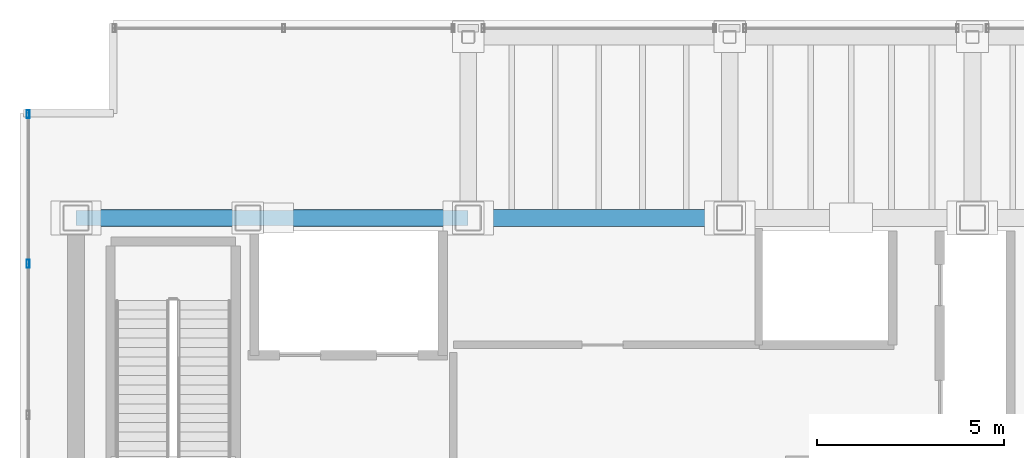
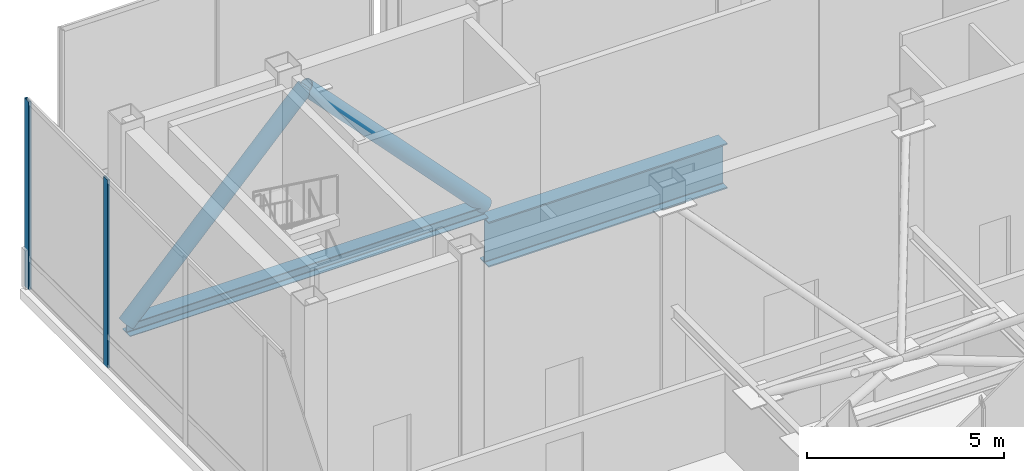
# One storey, part 11 of 19: 5 members, 1 beam, 1 element without a shape of its own.
"""IFC4 building model written with IfcOpenShell, lengths in metres."""

from ifc_helpers import new_model, si_unit, direction, frame, origin, origin_2d, place, context, subcontext, project, spatial, hollow_rectangle, hollow_circle, i_section, extrude, material, material_profile, profile_set, type_object, element, aggregate, save


model = new_model("IFC4")

# Units and contexts
model_context = context("Model", 3, precision=1e-05, world=origin(), true_north=direction((0.0, 1.0)))
body_context = subcontext(model_context, "Body", "Model", "MODEL_VIEW")
ifc_project = project(units=[si_unit("LENGTHUNIT", "METRE"), si_unit("AREAUNIT", "SQUARE_METRE"), si_unit("VOLUMEUNIT", "CUBIC_METRE"), si_unit("PLANEANGLEUNIT", "RADIAN"), si_unit("MASSUNIT", "GRAM", prefix="KILO")], contexts=[model_context])

# Site, building, storey
site_placement = place(None, origin())
site = spatial("IfcSite", under=ifc_project, at=site_placement, CompositionType="ELEMENT")
building_placement = place(site_placement, origin())
building = spatial("IfcBuilding", under=site, at=building_placement, Name="Noeulbin Bourse Tower", CompositionType="ELEMENT")
storey_placement = place(building_placement, frame((0.0, 0.0, 306.0)))
storey = spatial("IfcBuildingStorey", under=building, at=storey_placement, Name="L76", CompositionType="ELEMENT", Elevation=306.0)

# Beam
ifc_material_1 = material(Name="Steel S460", Category="steel")
ifc_material_profile_1 = material_profile(ifc_material_1, i_section(OverallWidth=0.449951171875, OverallDepth=1.39990234375, WebThickness=0.02392578125, FlangeThickness=0.0400390625, FilletRadius=0.02392578125, at=origin_2d()), Name="PG-1400x450x24x40", Category="LoadBearing")
ifc_profile_set_1 = profile_set([ifc_material_profile_1], Name="Steel S460")
beam_type = type_object("IfcBeamType", Name="BM-TRF-1400", PredefinedType="USERDEFINED", material=ifc_profile_set_1)
beam_placement = place(storey_placement, frame((24.0, 38.300048828125, -1.0), z_axis=(1.0, 0.0, 0.0), x_axis=(0.0, 1.0, 0.0)))
element("IfcBeam", 1, at=beam_placement, inside=storey, type_object=beam_type, Name="Tower Primary Girder EW L76-3.1", ObjectType="GIRDER", PredefinedType="USERDEFINED", context=body_context, shape_type="SweptSolid", body=[
    extrude(i_section(OverallWidth=0.449951171875, OverallDepth=1.39990234375, WebThickness=0.02392578125, FlangeThickness=0.0400390625, FilletRadius=0.02392578125, at=origin_2d()), origin(), (0.0, 0.0, 1.0), 7.0),
])

# Curtain wall, members
ifc_material_2 = material(Name="Translucent Ceramic-Fritted Glass", Category="glass")
curtain_wall_type = type_object("IfcCurtainWallType", Name="CW-SYS-5", PredefinedType="NOTDEFINED", material=ifc_material_2)
curtain_wall_placement = place(storey_placement, origin())
curtain_wall = element("IfcCurtainWall", 2, at=curtain_wall_placement, inside=storey, type_object=curtain_wall_type, Name="Unitised Curtain Wall CW-L76-W", PredefinedType="NOTDEFINED")
ifc_material_3 = material(Name="Anodised Aluminium 6063-T6", Category="aluminium")
ifc_material_profile_2 = material_profile(ifc_material_3, hollow_rectangle(XDim=0.074951171875, YDim=0.219970703125, WallThickness=0.0048828125, InnerFilletRadius=0.00244140625, OuterFilletRadius=0.0048828125, at=origin_2d()), Name="ALU-MULL-75x220x5", Category="LoadBearing")
ifc_profile_set_2 = profile_set([ifc_material_profile_2], Name="Anodised Aluminium 6063-T6")
member_type_1 = type_object("IfcMemberType", Name="CW-SYS-5-MUL", PredefinedType="MULLION", material=ifc_profile_set_2)
member_1_placement = place(storey_placement, frame((12.219970703125, 37.072021484375, -0.02001953125), z_axis=(0.0, 0.0, 1.0), x_axis=(1.0, 0.0, 0.0)))
member_1 = element("IfcMember", 3, at=member_1_placement, type_object=member_type_1, Name="Curtain Wall Mullion CW-L76-W-M04", PredefinedType="MULLION", context=body_context, shape_type="SweptSolid", body=[
    extrude(hollow_rectangle(XDim=0.074951171875, YDim=0.219970703125, WallThickness=0.0048828125, InnerFilletRadius=0.00244140625, OuterFilletRadius=0.0048828125, at=origin_2d()), origin(), (0.0, 0.0, 1.0), 5.840087890625),
])
member_2_placement = place(storey_placement, frame((12.219970703125, 41.080078125, -0.02001953125), z_axis=(0.0, 0.0, 1.0), x_axis=(1.0, 0.0, 0.0)))
member_2 = element("IfcMember", 4, at=member_2_placement, type_object=member_type_1, Name="Curtain Wall Mullion CW-L76-W-M05", PredefinedType="MULLION", context=body_context, shape_type="SweptSolid", body=[
    extrude(hollow_rectangle(XDim=0.074951171875, YDim=0.219970703125, WallThickness=0.0048828125, InnerFilletRadius=0.00244140625, OuterFilletRadius=0.0048828125, at=origin_2d()), origin(), (0.0, 0.0, 1.0), 5.840087890625),
])
aggregate(curtain_wall, [member_1, member_2])

# Members
ifc_material_profile_3 = material_profile(ifc_material_1, i_section(OverallWidth=0.39990234375, OverallDepth=0.39990234375, WebThickness=0.012939453125, FlangeThickness=0.02099609375, FilletRadius=0.02197265625, at=origin_2d()), Name="H-400x400x13x21", Category="LoadBearing")
ifc_profile_set_3 = profile_set([ifc_material_profile_3], Name="Steel S460")
member_type_2 = type_object("IfcMemberType", Name="MEM-CHD-400", PredefinedType="CHORD", material=ifc_profile_set_3)
member_3_placement = place(storey_placement, frame((13.5, 38.300048828125, 0.010009765625), z_axis=(1.0, 0.0, 0.0), x_axis=(0.0, 1.0, 0.0)))
element("IfcMember", 5, at=member_3_placement, inside=storey, type_object=member_type_2, Name="Outrigger Bottom Chord CH-L76-1", PredefinedType="CHORD", context=body_context, shape_type="SweptSolid", body=[
    extrude(i_section(OverallWidth=0.39990234375, OverallDepth=0.39990234375, WebThickness=0.012939453125, FlangeThickness=0.02099609375, FilletRadius=0.02197265625, at=origin_2d()), origin(), (0.0, 0.0, 1.0), 10.5),
])
ifc_material_profile_4 = material_profile(ifc_material_1, hollow_circle(Radius=0.228515625, WallThickness=0.01904296875, at=origin_2d()), Name="CHS-457.2x19.0", Category="LoadBearing")
ifc_profile_set_4 = profile_set([ifc_material_profile_4], Name="Steel S460")
member_type_3 = type_object("IfcMemberType", Name="MEM-OUT-457", PredefinedType="BRACE", material=ifc_profile_set_4)
for number, where, z_axis, x_axis, name in (
    (6, (13.5, 38.300048828125, 0.110107421875), (0.689818561266, 0.0, 0.723982287444), (0.0, 1.0, 0.0), "Outrigger Truss Diagonal OT-L76-1A"),
    (7, (18.75, 38.300048828125, 5.6201171875), (0.689818561266, 0.0, -0.723982287444), (0.0, 1.0, 0.0), "Outrigger Truss Diagonal OT-L76-1B"),
):
    element("IfcMember", number, at=place(storey_placement, frame(where, z_axis=z_axis, x_axis=x_axis)), inside=storey, type_object=member_type_3, Name=name, PredefinedType="BRACE", context=body_context, shape_type="SweptSolid", body=[
        extrude(hollow_circle(Radius=0.228515625, WallThickness=0.01904296875, at=origin_2d()), origin(), (0.0, 0.0, 1.0), 7.610595703125),
    ])

save(model, "model.ifc")
